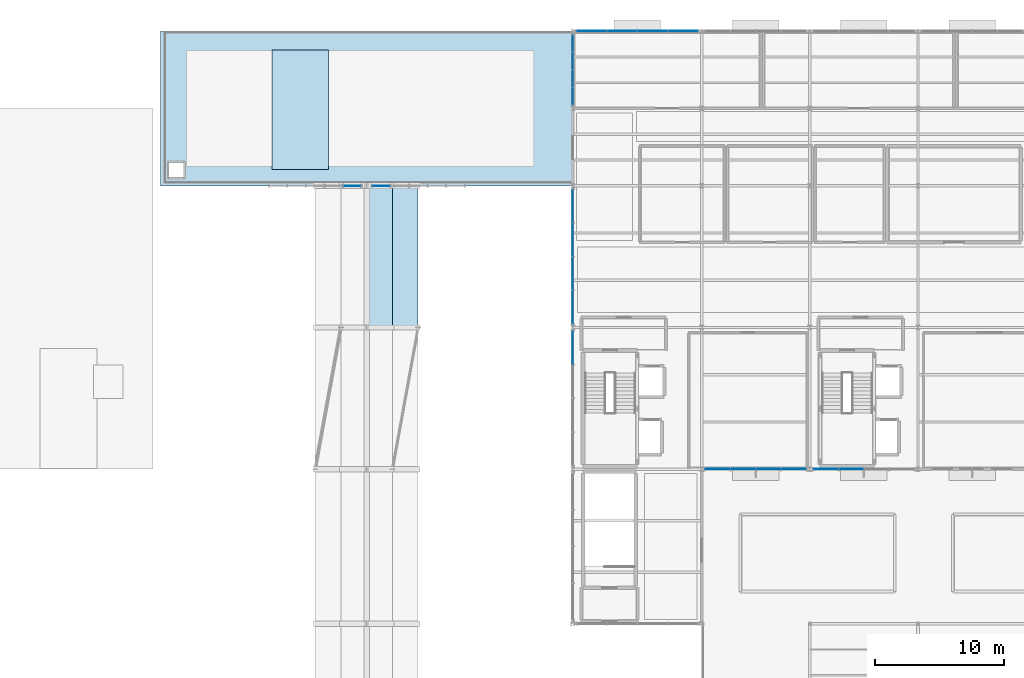
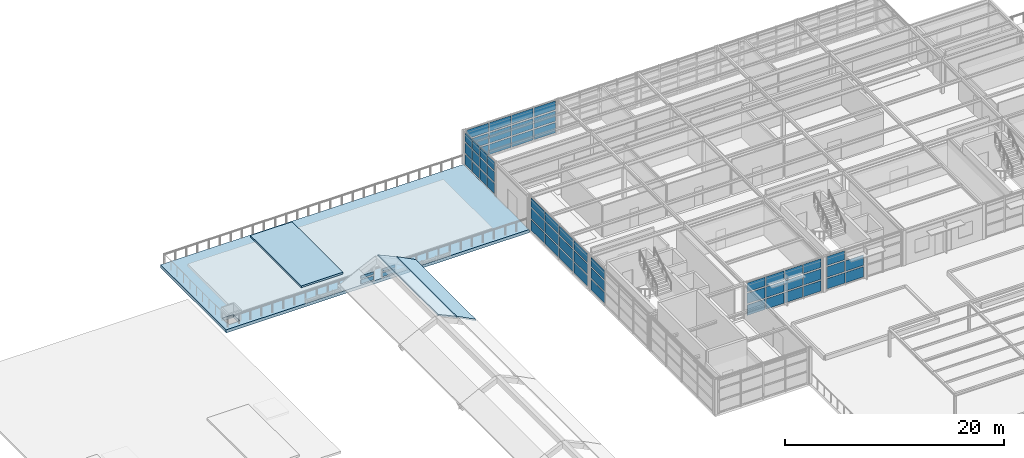
# One storey, part 33 of 49: 60 plates, 4 slabs, 8 elements without a shape of their own.
"""IFC4 building model written with IfcOpenShell, lengths in metres."""

from ifc_helpers import new_model, si_unit, direction, frame, origin, origin_2d, place, context, subcontext, project, spatial, polyline, rectangle, outline, extrude, material, layer, layer_set, type_object, element, aggregate, save


model = new_model("IFC4")

# Units and contexts
model_context = context("Model", 3, precision=1e-05, world=origin(), true_north=direction((0.0, 1.0)))
body_context = subcontext(model_context, "Body", "Model", "MODEL_VIEW")
ifc_project = project(units=[si_unit("LENGTHUNIT", "METRE"), si_unit("AREAUNIT", "SQUARE_METRE"), si_unit("VOLUMEUNIT", "CUBIC_METRE"), si_unit("PLANEANGLEUNIT", "RADIAN"), si_unit("MASSUNIT", "GRAM", prefix="KILO")], contexts=[model_context])

# Site, building, storey
site_placement = place(None, origin())
site = spatial("IfcSite", under=ifc_project, at=site_placement, CompositionType="ELEMENT")
building_placement = place(site_placement, origin())
building = spatial("IfcBuilding", under=site, at=building_placement, Name="Sitalva Quay Ferry Terminal", CompositionType="ELEMENT")
storey_placement = place(building_placement, frame((0.0, 0.0, 10.199951171875)))
storey = spatial("IfcBuildingStorey", under=building, at=storey_placement, Name="L03", CompositionType="ELEMENT", Elevation=10.199951171875)

# Curtain wall, plates
ifc_material_1 = material(Name="Anodised Aluminium & Low-E Glazing", Category="aluminium")
ifc_layer_1 = layer(ifc_material_1, 0.159912109375)
ifc_layer_set_1 = layer_set([ifc_layer_1], Name="Anodised Aluminium & Low-E Glazing")
curtain_wall_type_1 = type_object("IfcCurtainWallType", Name="CW_Gable_Unitised", PredefinedType="USERDEFINED", material=ifc_layer_set_1)
curtain_wall_1_placement = place(storey_placement, origin())
curtain_wall_1 = element("IfcCurtainWall", 1, at=curtain_wall_1_placement, inside=storey, type_object=curtain_wall_type_1, Name="V1 north clerestory pointed gable (CW-L03-010)", ObjectType="CURTAIN_WALL", PredefinedType="USERDEFINED")
ifc_material_2 = material(Name="Acoustic Laminated Marine Glazing", Category="glass")
ifc_layer_2 = layer(ifc_material_2, 0.033935546875)
ifc_layer_set_2 = layer_set([ifc_layer_2], Name="Acoustic Laminated Marine Glazing")
plate_type_1 = type_object("IfcPlateType", Name="Panel_Marine_IGU_34", PredefinedType="CURTAIN_PANEL", material=ifc_layer_set_2)
plate_1_placement = place(storey_placement, frame((56.8798828125, 100.0, 0.1650390625), z_axis=(0.0, 0.0, 1.0), x_axis=(1.0, 0.0, 0.0)))
plate_1 = element("IfcPlate", 2, at=plate_1_placement, type_object=plate_type_1, Name="CW-L03-010-P4-0", PredefinedType="CURTAIN_PANEL", context=body_context, shape_type="SweptSolid", body=[
    extrude(rectangle(XDim=1.35009765625, YDim=0.033935546875, at=origin_2d()), origin(), (0.0, 0.0, 1.0), 0.435791015625),
])
plate_2_placement = place(storey_placement, frame((56.8798828125, 100.0, 0.765869140625), z_axis=(0.0, 0.0, 1.0), x_axis=(1.0, 0.0, 0.0)))
plate_2 = element("IfcPlate", 3, at=plate_2_placement, type_object=plate_type_1, Name="CW-L03-010-P4-1", PredefinedType="CURTAIN_PANEL", context=body_context, shape_type="SweptSolid", body=[
    extrude(rectangle(XDim=1.35009765625, YDim=0.033935546875, at=origin_2d()), origin(), (0.0, 0.0, 1.0), 0.27099609375),
])
aggregate(curtain_wall_1, [plate_1, plate_2])

curtain_wall_2_placement = place(storey_placement, origin())
curtain_wall_2 = element("IfcCurtainWall", 4, at=curtain_wall_2_placement, inside=storey, type_object=curtain_wall_type_1, Name="V1 north clerestory pointed gable (CW-L03-011)", ObjectType="CURTAIN_WALL", PredefinedType="USERDEFINED")
plate_3_placement = place(storey_placement, frame((59.1201171875, 100.0, 0.1650390625), z_axis=(0.0, 0.0, 1.0), x_axis=(1.0, 0.0, 0.0)))
plate_3 = element("IfcPlate", 5, at=plate_3_placement, type_object=plate_type_1, Name="CW-L03-011-P0-0", PredefinedType="CURTAIN_PANEL", context=body_context, shape_type="SweptSolid", body=[
    extrude(rectangle(XDim=1.35009765625, YDim=0.033935546875, at=origin_2d()), origin(), (0.0, 0.0, 1.0), 0.435791015625),
])
plate_4_placement = place(storey_placement, frame((59.1201171875, 100.0, 0.765869140625), z_axis=(0.0, 0.0, 1.0), x_axis=(1.0, 0.0, 0.0)))
plate_4 = element("IfcPlate", 6, at=plate_4_placement, type_object=plate_type_1, Name="CW-L03-011-P0-1", PredefinedType="CURTAIN_PANEL", context=body_context, shape_type="SweptSolid", body=[
    extrude(rectangle(XDim=1.35009765625, YDim=0.033935546875, at=origin_2d()), origin(), (0.0, 0.0, 1.0), 0.27099609375),
])
aggregate(curtain_wall_2, [plate_3, plate_4])

ifc_material_3 = material(Name="Anodised Aluminium & Low-E Glazing", Category="aluminium")
ifc_layer_3 = layer(ifc_material_3, 0.159912109375)
ifc_layer_set_3 = layer_set([ifc_layer_3], Name="Anodised Aluminium & Low-E Glazing")
curtain_wall_type_2 = type_object("IfcCurtainWallType", Name="CW_Office_Unitised", PredefinedType="USERDEFINED", material=ifc_layer_set_3)
curtain_wall_3_placement = place(storey_placement, origin())
curtain_wall_3 = element("IfcCurtainWall", 7, at=curtain_wall_3_placement, inside=storey, type_object=curtain_wall_type_2, Name="L03 maritime bridge west glazing (CW-L03-124)", ObjectType="CURTAIN_WALL", PredefinedType="USERDEFINED")
ifc_material_4 = material(Name="Solar-Control Low-E Glazing", Category="glass")
ifc_layer_4 = layer(ifc_material_4, 0.031982421875)
ifc_layer_set_4 = layer_set([ifc_layer_4], Name="Solar-Control Low-E Glazing")
plate_type_2 = type_object("IfcPlateType", Name="Panel_Solar_IGU_32", PredefinedType="CURTAIN_PANEL", material=ifc_layer_set_4)
plate_5_placement = place(storey_placement, frame((74.0, 87.429931640625, 0.14990234375), z_axis=(0.0, 0.0, 1.0), x_axis=(0.0, 1.0, 0.0)))
plate_5 = element("IfcPlate", 8, at=plate_5_placement, type_object=plate_type_2, Name="CW-L03-124-P3-0", PredefinedType="CURTAIN_PANEL", context=body_context, shape_type="SweptSolid", body=[
    extrude(rectangle(XDim=2.544921875, YDim=0.031982421875, at=origin_2d()), origin(), (0.0, 0.0, 1.0), 1.15673828125),
])
plate_6_placement = place(storey_placement, frame((74.0, 87.429931640625, 1.456787109375), z_axis=(0.0, 0.0, 1.0), x_axis=(0.0, 1.0, 0.0)))
plate_6 = element("IfcPlate", 9, at=plate_6_placement, type_object=plate_type_2, Name="CW-L03-124-P3-1", PredefinedType="CURTAIN_PANEL", context=body_context, shape_type="SweptSolid", body=[
    extrude(rectangle(XDim=2.544921875, YDim=0.031982421875, at=origin_2d()), origin(), (0.0, 0.0, 1.0), 1.15673828125),
])
plate_7_placement = place(storey_placement, frame((74.0, 87.429931640625, 2.76318359375), z_axis=(0.0, 0.0, 1.0), x_axis=(0.0, 1.0, 0.0)))
plate_7 = element("IfcPlate", 10, at=plate_7_placement, type_object=plate_type_2, Name="CW-L03-124-P3-2", PredefinedType="CURTAIN_PANEL", context=body_context, shape_type="SweptSolid", body=[
    extrude(rectangle(XDim=2.544921875, YDim=0.031982421875, at=origin_2d()), origin(), (0.0, 0.0, 1.0), 1.006591796875),
])
aggregate(curtain_wall_3, [plate_5, plate_6, plate_7])

curtain_wall_4_placement = place(storey_placement, origin())
curtain_wall_4 = element("IfcCurtainWall", 11, at=curtain_wall_4_placement, inside=storey, type_object=curtain_wall_type_2, Name="L03 maritime bridge west glazing (CW-L03-125)", ObjectType="CURTAIN_WALL", PredefinedType="USERDEFINED")
plate_8_placement = place(storey_placement, frame((74.0, 90.570068359375, 0.14990234375), z_axis=(0.0, 0.0, 1.0), x_axis=(0.0, 1.0, 0.0)))
plate_8 = element("IfcPlate", 12, at=plate_8_placement, type_object=plate_type_2, Name="CW-L03-125-P0-0", PredefinedType="CURTAIN_PANEL", context=body_context, shape_type="SweptSolid", body=[
    extrude(rectangle(XDim=2.544921875, YDim=0.031982421875, at=origin_2d()), origin(), (0.0, 0.0, 1.0), 1.15673828125),
])
plate_9_placement = place(storey_placement, frame((74.0, 90.570068359375, 1.456787109375), z_axis=(0.0, 0.0, 1.0), x_axis=(0.0, 1.0, 0.0)))
plate_9 = element("IfcPlate", 13, at=plate_9_placement, type_object=plate_type_2, Name="CW-L03-125-P0-1", PredefinedType="CURTAIN_PANEL", context=body_context, shape_type="SweptSolid", body=[
    extrude(rectangle(XDim=2.544921875, YDim=0.031982421875, at=origin_2d()), origin(), (0.0, 0.0, 1.0), 1.15673828125),
])
plate_10_placement = place(storey_placement, frame((74.0, 90.570068359375, 2.76318359375), z_axis=(0.0, 0.0, 1.0), x_axis=(0.0, 1.0, 0.0)))
plate_10 = element("IfcPlate", 14, at=plate_10_placement, type_object=plate_type_2, Name="CW-L03-125-P0-2", PredefinedType="CURTAIN_PANEL", context=body_context, shape_type="SweptSolid", body=[
    extrude(rectangle(XDim=2.544921875, YDim=0.031982421875, at=origin_2d()), origin(), (0.0, 0.0, 1.0), 1.006591796875),
])
plate_11_placement = place(storey_placement, frame((74.0, 93.18994140625, 0.14990234375), z_axis=(0.0, 0.0, 1.0), x_axis=(0.0, 1.0, 0.0)))
plate_11 = element("IfcPlate", 15, at=plate_11_placement, type_object=plate_type_2, Name="CW-L03-125-P1-0", PredefinedType="CURTAIN_PANEL", context=body_context, shape_type="SweptSolid", body=[
    extrude(rectangle(XDim=2.544921875, YDim=0.031982421875, at=origin_2d()), origin(), (0.0, 0.0, 1.0), 1.15673828125),
])
plate_12_placement = place(storey_placement, frame((74.0, 93.18994140625, 1.456787109375), z_axis=(0.0, 0.0, 1.0), x_axis=(0.0, 1.0, 0.0)))
plate_12 = element("IfcPlate", 16, at=plate_12_placement, type_object=plate_type_2, Name="CW-L03-125-P1-1", PredefinedType="CURTAIN_PANEL", context=body_context, shape_type="SweptSolid", body=[
    extrude(rectangle(XDim=2.544921875, YDim=0.031982421875, at=origin_2d()), origin(), (0.0, 0.0, 1.0), 1.15673828125),
])
plate_13_placement = place(storey_placement, frame((74.0, 93.18994140625, 2.76318359375), z_axis=(0.0, 0.0, 1.0), x_axis=(0.0, 1.0, 0.0)))
plate_13 = element("IfcPlate", 17, at=plate_13_placement, type_object=plate_type_2, Name="CW-L03-125-P1-2", PredefinedType="CURTAIN_PANEL", context=body_context, shape_type="SweptSolid", body=[
    extrude(rectangle(XDim=2.544921875, YDim=0.031982421875, at=origin_2d()), origin(), (0.0, 0.0, 1.0), 1.006591796875),
])
plate_14_placement = place(storey_placement, frame((74.0, 95.81005859375, 0.14990234375), z_axis=(0.0, 0.0, 1.0), x_axis=(0.0, 1.0, 0.0)))
plate_14 = element("IfcPlate", 18, at=plate_14_placement, type_object=plate_type_2, Name="CW-L03-125-P2-0", PredefinedType="CURTAIN_PANEL", context=body_context, shape_type="SweptSolid", body=[
    extrude(rectangle(XDim=2.544921875, YDim=0.031982421875, at=origin_2d()), origin(), (0.0, 0.0, 1.0), 1.15673828125),
])
plate_15_placement = place(storey_placement, frame((74.0, 95.81005859375, 1.456787109375), z_axis=(0.0, 0.0, 1.0), x_axis=(0.0, 1.0, 0.0)))
plate_15 = element("IfcPlate", 19, at=plate_15_placement, type_object=plate_type_2, Name="CW-L03-125-P2-1", PredefinedType="CURTAIN_PANEL", context=body_context, shape_type="SweptSolid", body=[
    extrude(rectangle(XDim=2.544921875, YDim=0.031982421875, at=origin_2d()), origin(), (0.0, 0.0, 1.0), 1.15673828125),
])
plate_16_placement = place(storey_placement, frame((74.0, 95.81005859375, 2.76318359375), z_axis=(0.0, 0.0, 1.0), x_axis=(0.0, 1.0, 0.0)))
plate_16 = element("IfcPlate", 20, at=plate_16_placement, type_object=plate_type_2, Name="CW-L03-125-P2-2", PredefinedType="CURTAIN_PANEL", context=body_context, shape_type="SweptSolid", body=[
    extrude(rectangle(XDim=2.544921875, YDim=0.031982421875, at=origin_2d()), origin(), (0.0, 0.0, 1.0), 1.006591796875),
])
plate_17_placement = place(storey_placement, frame((74.0, 98.429931640625, 0.14990234375), z_axis=(0.0, 0.0, 1.0), x_axis=(0.0, 1.0, 0.0)))
plate_17 = element("IfcPlate", 21, at=plate_17_placement, type_object=plate_type_2, Name="CW-L03-125-P3-0", PredefinedType="CURTAIN_PANEL", context=body_context, shape_type="SweptSolid", body=[
    extrude(rectangle(XDim=2.544921875, YDim=0.031982421875, at=origin_2d()), origin(), (0.0, 0.0, 1.0), 1.15673828125),
])
plate_18_placement = place(storey_placement, frame((74.0, 98.429931640625, 1.456787109375), z_axis=(0.0, 0.0, 1.0), x_axis=(0.0, 1.0, 0.0)))
plate_18 = element("IfcPlate", 22, at=plate_18_placement, type_object=plate_type_2, Name="CW-L03-125-P3-1", PredefinedType="CURTAIN_PANEL", context=body_context, shape_type="SweptSolid", body=[
    extrude(rectangle(XDim=2.544921875, YDim=0.031982421875, at=origin_2d()), origin(), (0.0, 0.0, 1.0), 1.15673828125),
])
plate_19_placement = place(storey_placement, frame((74.0, 98.429931640625, 2.76318359375), z_axis=(0.0, 0.0, 1.0), x_axis=(0.0, 1.0, 0.0)))
plate_19 = element("IfcPlate", 23, at=plate_19_placement, type_object=plate_type_2, Name="CW-L03-125-P3-2", PredefinedType="CURTAIN_PANEL", context=body_context, shape_type="SweptSolid", body=[
    extrude(rectangle(XDim=2.544921875, YDim=0.031982421875, at=origin_2d()), origin(), (0.0, 0.0, 1.0), 1.006591796875),
])
aggregate(curtain_wall_4, [plate_8, plate_9, plate_10, plate_11, plate_12, plate_13, plate_14, plate_15, plate_16, plate_17, plate_18, plate_19])

curtain_wall_5_placement = place(storey_placement, origin())
curtain_wall_5 = element("IfcCurtainWall", 24, at=curtain_wall_5_placement, inside=storey, type_object=curtain_wall_type_2, Name="L03 maritime bridge west glazing (CW-L03-126)", ObjectType="CURTAIN_WALL", PredefinedType="USERDEFINED")
plate_20_placement = place(storey_placement, frame((74.0, 106.945068359375, 0.150146484375), z_axis=(0.0, 0.0, 1.0), x_axis=(0.0, 1.0, 0.0)))
plate_20 = element("IfcPlate", 25, at=plate_20_placement, type_object=plate_type_2, Name="CW-L03-126-P0-0", PredefinedType="CURTAIN_PANEL", context=body_context, shape_type="SweptSolid", body=[
    extrude(rectangle(XDim=1.294921875, YDim=0.031982421875, at=origin_2d()), origin(), (0.0, 0.0, 1.0), 1.13330078125),
])
plate_21_placement = place(storey_placement, frame((74.0, 106.945068359375, 1.433349609375), z_axis=(0.0, 0.0, 1.0), x_axis=(0.0, 1.0, 0.0)))
plate_21 = element("IfcPlate", 26, at=plate_21_placement, type_object=plate_type_2, Name="CW-L03-126-P0-1", PredefinedType="CURTAIN_PANEL", context=body_context, shape_type="SweptSolid", body=[
    extrude(rectangle(XDim=1.294921875, YDim=0.031982421875, at=origin_2d()), origin(), (0.0, 0.0, 1.0), 1.13330078125),
])
plate_22_placement = place(storey_placement, frame((74.0, 106.945068359375, 2.716796875), z_axis=(0.0, 0.0, 1.0), x_axis=(0.0, 1.0, 0.0)))
plate_22 = element("IfcPlate", 27, at=plate_22_placement, type_object=plate_type_2, Name="CW-L03-126-P0-2", PredefinedType="CURTAIN_PANEL", context=body_context, shape_type="SweptSolid", body=[
    extrude(rectangle(XDim=1.294921875, YDim=0.031982421875, at=origin_2d()), origin(), (0.0, 0.0, 1.0), 0.9833984375),
])
plate_23_placement = place(storey_placement, frame((74.0, 108.31494140625, 0.150146484375), z_axis=(0.0, 0.0, 1.0), x_axis=(0.0, 1.0, 0.0)))
plate_23 = element("IfcPlate", 28, at=plate_23_placement, type_object=plate_type_2, Name="CW-L03-126-P1-0", PredefinedType="CURTAIN_PANEL", context=body_context, shape_type="SweptSolid", body=[
    extrude(rectangle(XDim=1.294921875, YDim=0.031982421875, at=origin_2d()), origin(), (0.0, 0.0, 1.0), 1.13330078125),
])
plate_24_placement = place(storey_placement, frame((74.0, 108.31494140625, 1.433349609375), z_axis=(0.0, 0.0, 1.0), x_axis=(0.0, 1.0, 0.0)))
plate_24 = element("IfcPlate", 29, at=plate_24_placement, type_object=plate_type_2, Name="CW-L03-126-P1-1", PredefinedType="CURTAIN_PANEL", context=body_context, shape_type="SweptSolid", body=[
    extrude(rectangle(XDim=1.294921875, YDim=0.031982421875, at=origin_2d()), origin(), (0.0, 0.0, 1.0), 1.13330078125),
])
plate_25_placement = place(storey_placement, frame((74.0, 108.31494140625, 2.716796875), z_axis=(0.0, 0.0, 1.0), x_axis=(0.0, 1.0, 0.0)))
plate_25 = element("IfcPlate", 30, at=plate_25_placement, type_object=plate_type_2, Name="CW-L03-126-P1-2", PredefinedType="CURTAIN_PANEL", context=body_context, shape_type="SweptSolid", body=[
    extrude(rectangle(XDim=1.294921875, YDim=0.031982421875, at=origin_2d()), origin(), (0.0, 0.0, 1.0), 0.9833984375),
])
plate_26_placement = place(storey_placement, frame((74.0, 109.68505859375, 0.150146484375), z_axis=(0.0, 0.0, 1.0), x_axis=(0.0, 1.0, 0.0)))
plate_26 = element("IfcPlate", 31, at=plate_26_placement, type_object=plate_type_2, Name="CW-L03-126-P2-0", PredefinedType="CURTAIN_PANEL", context=body_context, shape_type="SweptSolid", body=[
    extrude(rectangle(XDim=1.294921875, YDim=0.031982421875, at=origin_2d()), origin(), (0.0, 0.0, 1.0), 1.13330078125),
])
plate_27_placement = place(storey_placement, frame((74.0, 109.68505859375, 1.433349609375), z_axis=(0.0, 0.0, 1.0), x_axis=(0.0, 1.0, 0.0)))
plate_27 = element("IfcPlate", 32, at=plate_27_placement, type_object=plate_type_2, Name="CW-L03-126-P2-1", PredefinedType="CURTAIN_PANEL", context=body_context, shape_type="SweptSolid", body=[
    extrude(rectangle(XDim=1.294921875, YDim=0.031982421875, at=origin_2d()), origin(), (0.0, 0.0, 1.0), 1.13330078125),
])
plate_28_placement = place(storey_placement, frame((74.0, 109.68505859375, 2.716796875), z_axis=(0.0, 0.0, 1.0), x_axis=(0.0, 1.0, 0.0)))
plate_28 = element("IfcPlate", 33, at=plate_28_placement, type_object=plate_type_2, Name="CW-L03-126-P2-2", PredefinedType="CURTAIN_PANEL", context=body_context, shape_type="SweptSolid", body=[
    extrude(rectangle(XDim=1.294921875, YDim=0.031982421875, at=origin_2d()), origin(), (0.0, 0.0, 1.0), 0.9833984375),
])
plate_29_placement = place(storey_placement, frame((74.0, 111.054931640625, 0.150146484375), z_axis=(0.0, 0.0, 1.0), x_axis=(0.0, 1.0, 0.0)))
plate_29 = element("IfcPlate", 34, at=plate_29_placement, type_object=plate_type_2, Name="CW-L03-126-P3-0", PredefinedType="CURTAIN_PANEL", context=body_context, shape_type="SweptSolid", body=[
    extrude(rectangle(XDim=1.294921875, YDim=0.031982421875, at=origin_2d()), origin(), (0.0, 0.0, 1.0), 1.13330078125),
])
plate_30_placement = place(storey_placement, frame((74.0, 111.054931640625, 1.433349609375), z_axis=(0.0, 0.0, 1.0), x_axis=(0.0, 1.0, 0.0)))
plate_30 = element("IfcPlate", 35, at=plate_30_placement, type_object=plate_type_2, Name="CW-L03-126-P3-1", PredefinedType="CURTAIN_PANEL", context=body_context, shape_type="SweptSolid", body=[
    extrude(rectangle(XDim=1.294921875, YDim=0.031982421875, at=origin_2d()), origin(), (0.0, 0.0, 1.0), 1.13330078125),
])
plate_31_placement = place(storey_placement, frame((74.0, 111.054931640625, 2.716796875), z_axis=(0.0, 0.0, 1.0), x_axis=(0.0, 1.0, 0.0)))
plate_31 = element("IfcPlate", 36, at=plate_31_placement, type_object=plate_type_2, Name="CW-L03-126-P3-2", PredefinedType="CURTAIN_PANEL", context=body_context, shape_type="SweptSolid", body=[
    extrude(rectangle(XDim=1.294921875, YDim=0.031982421875, at=origin_2d()), origin(), (0.0, 0.0, 1.0), 0.9833984375),
])
aggregate(curtain_wall_5, [plate_20, plate_21, plate_22, plate_23, plate_24, plate_25, plate_26, plate_27, plate_28, plate_29, plate_30, plate_31])

curtain_wall_6_placement = place(storey_placement, origin())
curtain_wall_6 = element("IfcCurtainWall", 37, at=curtain_wall_6_placement, inside=storey, type_object=curtain_wall_type_2, Name="L03 maritime bridge south glazing (CW-L03-127)", ObjectType="CURTAIN_WALL", PredefinedType="USERDEFINED")
plate_32_placement = place(storey_placement, frame((85.2451171875, 78.0, 1.456787109375), z_axis=(0.0, 0.0, 1.0), x_axis=(1.0, 0.0, 0.0)))
plate_32 = element("IfcPlate", 38, at=plate_32_placement, type_object=plate_type_2, Name="CW-L03-127-P0-1", PredefinedType="CURTAIN_PANEL", context=body_context, shape_type="SweptSolid", body=[
    extrude(rectangle(XDim=1.89501953125, YDim=0.031982421875, at=origin_2d()), origin(), (0.0, 0.0, 1.0), 1.15673828125),
])
plate_33_placement = place(storey_placement, frame((85.2451171875, 78.0, 2.76318359375), z_axis=(0.0, 0.0, 1.0), x_axis=(1.0, 0.0, 0.0)))
plate_33 = element("IfcPlate", 39, at=plate_33_placement, type_object=plate_type_2, Name="CW-L03-127-P0-2", PredefinedType="CURTAIN_PANEL", context=body_context, shape_type="SweptSolid", body=[
    extrude(rectangle(XDim=1.89501953125, YDim=0.031982421875, at=origin_2d()), origin(), (0.0, 0.0, 1.0), 1.006591796875),
])
plate_34_placement = place(storey_placement, frame((87.215087890625, 78.0, 1.456787109375), z_axis=(0.0, 0.0, 1.0), x_axis=(1.0, 0.0, 0.0)))
plate_34 = element("IfcPlate", 40, at=plate_34_placement, type_object=plate_type_2, Name="CW-L03-127-P1-1", PredefinedType="CURTAIN_PANEL", context=body_context, shape_type="SweptSolid", body=[
    extrude(rectangle(XDim=1.89501953125, YDim=0.031982421875, at=origin_2d()), origin(), (0.0, 0.0, 1.0), 1.15673828125),
])
plate_35_placement = place(storey_placement, frame((87.215087890625, 78.0, 2.76318359375), z_axis=(0.0, 0.0, 1.0), x_axis=(1.0, 0.0, 0.0)))
plate_35 = element("IfcPlate", 41, at=plate_35_placement, type_object=plate_type_2, Name="CW-L03-127-P1-2", PredefinedType="CURTAIN_PANEL", context=body_context, shape_type="SweptSolid", body=[
    extrude(rectangle(XDim=1.89501953125, YDim=0.031982421875, at=origin_2d()), origin(), (0.0, 0.0, 1.0), 1.006591796875),
])
plate_36_placement = place(storey_placement, frame((89.18505859375, 78.0, 1.456787109375), z_axis=(0.0, 0.0, 1.0), x_axis=(1.0, 0.0, 0.0)))
plate_36 = element("IfcPlate", 42, at=plate_36_placement, type_object=plate_type_2, Name="CW-L03-127-P2-1", PredefinedType="CURTAIN_PANEL", context=body_context, shape_type="SweptSolid", body=[
    extrude(rectangle(XDim=1.89501953125, YDim=0.031982421875, at=origin_2d()), origin(), (0.0, 0.0, 1.0), 1.15673828125),
])
plate_37_placement = place(storey_placement, frame((89.18505859375, 78.0, 2.76318359375), z_axis=(0.0, 0.0, 1.0), x_axis=(1.0, 0.0, 0.0)))
plate_37 = element("IfcPlate", 43, at=plate_37_placement, type_object=plate_type_2, Name="CW-L03-127-P2-2", PredefinedType="CURTAIN_PANEL", context=body_context, shape_type="SweptSolid", body=[
    extrude(rectangle(XDim=1.89501953125, YDim=0.031982421875, at=origin_2d()), origin(), (0.0, 0.0, 1.0), 1.006591796875),
])
plate_38_placement = place(storey_placement, frame((91.155029296875, 78.0, 1.456787109375), z_axis=(0.0, 0.0, 1.0), x_axis=(1.0, 0.0, 0.0)))
plate_38 = element("IfcPlate", 44, at=plate_38_placement, type_object=plate_type_2, Name="CW-L03-127-P3-1", PredefinedType="CURTAIN_PANEL", context=body_context, shape_type="SweptSolid", body=[
    extrude(rectangle(XDim=1.89501953125, YDim=0.031982421875, at=origin_2d()), origin(), (0.0, 0.0, 1.0), 1.15673828125),
])
plate_39_placement = place(storey_placement, frame((91.155029296875, 78.0, 2.76318359375), z_axis=(0.0, 0.0, 1.0), x_axis=(1.0, 0.0, 0.0)))
plate_39 = element("IfcPlate", 45, at=plate_39_placement, type_object=plate_type_2, Name="CW-L03-127-P3-2", PredefinedType="CURTAIN_PANEL", context=body_context, shape_type="SweptSolid", body=[
    extrude(rectangle(XDim=1.89501953125, YDim=0.031982421875, at=origin_2d()), origin(), (0.0, 0.0, 1.0), 1.006591796875),
])

curtain_wall_7_placement = place(storey_placement, origin())
curtain_wall_7 = element("IfcCurtainWall", 46, at=curtain_wall_7_placement, inside=storey, type_object=curtain_wall_type_2, Name="L03 maritime bridge south glazing (CW-L03-128)", ObjectType="CURTAIN_WALL", PredefinedType="USERDEFINED")
plate_40_placement = place(storey_placement, frame((93.64501953125, 78.0, 1.456787109375), z_axis=(0.0, 0.0, 1.0), x_axis=(1.0, 0.0, 0.0)))
plate_40 = element("IfcPlate", 47, at=plate_40_placement, type_object=plate_type_2, Name="CW-L03-128-P0-1", PredefinedType="CURTAIN_PANEL", context=body_context, shape_type="SweptSolid", body=[
    extrude(rectangle(XDim=1.89501953125, YDim=0.031982421875, at=origin_2d()), origin(), (0.0, 0.0, 1.0), 1.15673828125),
])
plate_41_placement = place(storey_placement, frame((93.64501953125, 78.0, 2.76318359375), z_axis=(0.0, 0.0, 1.0), x_axis=(1.0, 0.0, 0.0)))
plate_41 = element("IfcPlate", 48, at=plate_41_placement, type_object=plate_type_2, Name="CW-L03-128-P0-2", PredefinedType="CURTAIN_PANEL", context=body_context, shape_type="SweptSolid", body=[
    extrude(rectangle(XDim=1.89501953125, YDim=0.031982421875, at=origin_2d()), origin(), (0.0, 0.0, 1.0), 1.006591796875),
])
plate_42_placement = place(storey_placement, frame((95.614990234375, 78.0, 1.456787109375), z_axis=(0.0, 0.0, 1.0), x_axis=(1.0, 0.0, 0.0)))
plate_42 = element("IfcPlate", 49, at=plate_42_placement, type_object=plate_type_2, Name="CW-L03-128-P1-1", PredefinedType="CURTAIN_PANEL", context=body_context, shape_type="SweptSolid", body=[
    extrude(rectangle(XDim=1.89501953125, YDim=0.031982421875, at=origin_2d()), origin(), (0.0, 0.0, 1.0), 1.15673828125),
])

curtain_wall_8_placement = place(storey_placement, origin())
curtain_wall_8 = element("IfcCurtainWall", 50, at=curtain_wall_8_placement, inside=storey, type_object=curtain_wall_type_2, Name="L03 maritime admin north glazing (CW-L03-132)", ObjectType="CURTAIN_WALL", PredefinedType="USERDEFINED")
plate_43_placement = place(storey_placement, frame((75.445068359375, 112.0, 1.433349609375), z_axis=(0.0, 0.0, 1.0), x_axis=(1.0, 0.0, 0.0)))
plate_43 = element("IfcPlate", 51, at=plate_43_placement, type_object=plate_type_2, Name="CW-L03-132-P0-1", PredefinedType="CURTAIN_PANEL", context=body_context, shape_type="SweptSolid", body=[
    extrude(rectangle(XDim=2.294921875, YDim=0.031982421875, at=origin_2d()), origin(), (0.0, 0.0, 1.0), 1.13330078125),
])
plate_44_placement = place(storey_placement, frame((75.445068359375, 112.0, 2.716796875), z_axis=(0.0, 0.0, 1.0), x_axis=(1.0, 0.0, 0.0)))
plate_44 = element("IfcPlate", 52, at=plate_44_placement, type_object=plate_type_2, Name="CW-L03-132-P0-2", PredefinedType="CURTAIN_PANEL", context=body_context, shape_type="SweptSolid", body=[
    extrude(rectangle(XDim=2.294921875, YDim=0.031982421875, at=origin_2d()), origin(), (0.0, 0.0, 1.0), 0.9833984375),
])
plate_45_placement = place(storey_placement, frame((77.81494140625, 112.0, 1.433349609375), z_axis=(0.0, 0.0, 1.0), x_axis=(1.0, 0.0, 0.0)))
plate_45 = element("IfcPlate", 53, at=plate_45_placement, type_object=plate_type_2, Name="CW-L03-132-P1-1", PredefinedType="CURTAIN_PANEL", context=body_context, shape_type="SweptSolid", body=[
    extrude(rectangle(XDim=2.294921875, YDim=0.031982421875, at=origin_2d()), origin(), (0.0, 0.0, 1.0), 1.13330078125),
])
plate_46_placement = place(storey_placement, frame((77.81494140625, 112.0, 2.716796875), z_axis=(0.0, 0.0, 1.0), x_axis=(1.0, 0.0, 0.0)))
plate_46 = element("IfcPlate", 54, at=plate_46_placement, type_object=plate_type_2, Name="CW-L03-132-P1-2", PredefinedType="CURTAIN_PANEL", context=body_context, shape_type="SweptSolid", body=[
    extrude(rectangle(XDim=2.294921875, YDim=0.031982421875, at=origin_2d()), origin(), (0.0, 0.0, 1.0), 0.9833984375),
])
plate_47_placement = place(storey_placement, frame((80.18505859375, 112.0, 1.433349609375), z_axis=(0.0, 0.0, 1.0), x_axis=(1.0, 0.0, 0.0)))
plate_47 = element("IfcPlate", 55, at=plate_47_placement, type_object=plate_type_2, Name="CW-L03-132-P2-1", PredefinedType="CURTAIN_PANEL", context=body_context, shape_type="SweptSolid", body=[
    extrude(rectangle(XDim=2.294921875, YDim=0.031982421875, at=origin_2d()), origin(), (0.0, 0.0, 1.0), 1.13330078125),
])
plate_48_placement = place(storey_placement, frame((80.18505859375, 112.0, 2.716796875), z_axis=(0.0, 0.0, 1.0), x_axis=(1.0, 0.0, 0.0)))
plate_48 = element("IfcPlate", 56, at=plate_48_placement, type_object=plate_type_2, Name="CW-L03-132-P2-2", PredefinedType="CURTAIN_PANEL", context=body_context, shape_type="SweptSolid", body=[
    extrude(rectangle(XDim=2.294921875, YDim=0.031982421875, at=origin_2d()), origin(), (0.0, 0.0, 1.0), 0.9833984375),
])
plate_49_placement = place(storey_placement, frame((82.554931640625, 112.0, 1.433349609375), z_axis=(0.0, 0.0, 1.0), x_axis=(1.0, 0.0, 0.0)))
plate_49 = element("IfcPlate", 57, at=plate_49_placement, type_object=plate_type_2, Name="CW-L03-132-P3-1", PredefinedType="CURTAIN_PANEL", context=body_context, shape_type="SweptSolid", body=[
    extrude(rectangle(XDim=2.294921875, YDim=0.031982421875, at=origin_2d()), origin(), (0.0, 0.0, 1.0), 1.13330078125),
])
plate_50_placement = place(storey_placement, frame((82.554931640625, 112.0, 2.716796875), z_axis=(0.0, 0.0, 1.0), x_axis=(1.0, 0.0, 0.0)))
plate_50 = element("IfcPlate", 58, at=plate_50_placement, type_object=plate_type_2, Name="CW-L03-132-P3-2", PredefinedType="CURTAIN_PANEL", context=body_context, shape_type="SweptSolid", body=[
    extrude(rectangle(XDim=2.294921875, YDim=0.031982421875, at=origin_2d()), origin(), (0.0, 0.0, 1.0), 0.9833984375),
])

# Plate
ifc_material_5 = material(Name="Insulated Spandrel Cassette", Category="aluminium")
ifc_layer_5 = layer(ifc_material_5, 0.0400390625)
ifc_layer_set_5 = layer_set([ifc_layer_5], Name="Insulated Spandrel Cassette")
plate_type_3 = type_object("IfcPlateType", Name="Panel_Spandrel_Alu_40", PredefinedType="CURTAIN_PANEL", material=ifc_layer_set_5)
plate_51_placement = place(storey_placement, frame((85.2451171875, 78.0, 0.14990234375), z_axis=(0.0, 0.0, 1.0), x_axis=(1.0, 0.0, 0.0)))
plate_51 = element("IfcPlate", 59, at=plate_51_placement, type_object=plate_type_3, Name="CW-L03-127-P0-0", PredefinedType="CURTAIN_PANEL", context=body_context, shape_type="SweptSolid", body=[
    extrude(rectangle(XDim=1.89501953125, YDim=0.0400390625, at=origin_2d()), origin(), (0.0, 0.0, 1.0), 1.15673828125),
])

plate_52_placement = place(storey_placement, frame((87.215087890625, 78.0, 0.14990234375), z_axis=(0.0, 0.0, 1.0), x_axis=(1.0, 0.0, 0.0)))
plate_52 = element("IfcPlate", 60, at=plate_52_placement, type_object=plate_type_3, Name="CW-L03-127-P1-0", PredefinedType="CURTAIN_PANEL", context=body_context, shape_type="SweptSolid", body=[
    extrude(rectangle(XDim=1.89501953125, YDim=0.0400390625, at=origin_2d()), origin(), (0.0, 0.0, 1.0), 1.15673828125),
])

plate_53_placement = place(storey_placement, frame((89.18505859375, 78.0, 0.14990234375), z_axis=(0.0, 0.0, 1.0), x_axis=(1.0, 0.0, 0.0)))
plate_53 = element("IfcPlate", 61, at=plate_53_placement, type_object=plate_type_3, Name="CW-L03-127-P2-0", PredefinedType="CURTAIN_PANEL", context=body_context, shape_type="SweptSolid", body=[
    extrude(rectangle(XDim=1.89501953125, YDim=0.0400390625, at=origin_2d()), origin(), (0.0, 0.0, 1.0), 1.15673828125),
])

plate_54_placement = place(storey_placement, frame((91.155029296875, 78.0, 0.14990234375), z_axis=(0.0, 0.0, 1.0), x_axis=(1.0, 0.0, 0.0)))
plate_54 = element("IfcPlate", 62, at=plate_54_placement, type_object=plate_type_3, Name="CW-L03-127-P3-0", PredefinedType="CURTAIN_PANEL", context=body_context, shape_type="SweptSolid", body=[
    extrude(rectangle(XDim=1.89501953125, YDim=0.0400390625, at=origin_2d()), origin(), (0.0, 0.0, 1.0), 1.15673828125),
])

aggregate(curtain_wall_6, [plate_51, plate_32, plate_33, plate_52, plate_34, plate_35, plate_53, plate_36, plate_37, plate_54, plate_38, plate_39])

plate_55_placement = place(storey_placement, frame((93.64501953125, 78.0, 0.14990234375), z_axis=(0.0, 0.0, 1.0), x_axis=(1.0, 0.0, 0.0)))
plate_55 = element("IfcPlate", 63, at=plate_55_placement, type_object=plate_type_3, Name="CW-L03-128-P0-0", PredefinedType="CURTAIN_PANEL", context=body_context, shape_type="SweptSolid", body=[
    extrude(rectangle(XDim=1.89501953125, YDim=0.0400390625, at=origin_2d()), origin(), (0.0, 0.0, 1.0), 1.15673828125),
])

plate_56_placement = place(storey_placement, frame((95.614990234375, 78.0, 0.14990234375), z_axis=(0.0, 0.0, 1.0), x_axis=(1.0, 0.0, 0.0)))
plate_56 = element("IfcPlate", 64, at=plate_56_placement, type_object=plate_type_3, Name="CW-L03-128-P1-0", PredefinedType="CURTAIN_PANEL", context=body_context, shape_type="SweptSolid", body=[
    extrude(rectangle(XDim=1.89501953125, YDim=0.0400390625, at=origin_2d()), origin(), (0.0, 0.0, 1.0), 1.15673828125),
])

aggregate(curtain_wall_7, [plate_55, plate_40, plate_41, plate_56, plate_42])

plate_57_placement = place(storey_placement, frame((75.445068359375, 112.0, 0.150146484375), z_axis=(0.0, 0.0, 1.0), x_axis=(1.0, 0.0, 0.0)))
plate_57 = element("IfcPlate", 65, at=plate_57_placement, type_object=plate_type_3, Name="CW-L03-132-P0-0", PredefinedType="CURTAIN_PANEL", context=body_context, shape_type="SweptSolid", body=[
    extrude(rectangle(XDim=2.294921875, YDim=0.0400390625, at=origin_2d()), origin(), (0.0, 0.0, 1.0), 1.13330078125),
])

plate_58_placement = place(storey_placement, frame((77.81494140625, 112.0, 0.150146484375), z_axis=(0.0, 0.0, 1.0), x_axis=(1.0, 0.0, 0.0)))
plate_58 = element("IfcPlate", 66, at=plate_58_placement, type_object=plate_type_3, Name="CW-L03-132-P1-0", PredefinedType="CURTAIN_PANEL", context=body_context, shape_type="SweptSolid", body=[
    extrude(rectangle(XDim=2.294921875, YDim=0.0400390625, at=origin_2d()), origin(), (0.0, 0.0, 1.0), 1.13330078125),
])

plate_59_placement = place(storey_placement, frame((80.18505859375, 112.0, 0.150146484375), z_axis=(0.0, 0.0, 1.0), x_axis=(1.0, 0.0, 0.0)))
plate_59 = element("IfcPlate", 67, at=plate_59_placement, type_object=plate_type_3, Name="CW-L03-132-P2-0", PredefinedType="CURTAIN_PANEL", context=body_context, shape_type="SweptSolid", body=[
    extrude(rectangle(XDim=2.294921875, YDim=0.0400390625, at=origin_2d()), origin(), (0.0, 0.0, 1.0), 1.13330078125),
])

plate_60_placement = place(storey_placement, frame((82.554931640625, 112.0, 0.150146484375), z_axis=(0.0, 0.0, 1.0), x_axis=(1.0, 0.0, 0.0)))
plate_60 = element("IfcPlate", 68, at=plate_60_placement, type_object=plate_type_3, Name="CW-L03-132-P3-0", PredefinedType="CURTAIN_PANEL", context=body_context, shape_type="SweptSolid", body=[
    extrude(rectangle(XDim=2.294921875, YDim=0.0400390625, at=origin_2d()), origin(), (0.0, 0.0, 1.0), 1.13330078125),
])

aggregate(curtain_wall_8, [plate_57, plate_43, plate_44, plate_58, plate_45, plate_46, plate_59, plate_47, plate_48, plate_60, plate_49, plate_50])

# Slabs
ifc_material_6 = material(Name="Concrete C35/45", Category="concrete")
ifc_layer_6 = layer(ifc_material_6, 0.2099609375)
ifc_layer_set_6 = layer_set([ifc_layer_6], Name="Concrete C35/45")
slab_type_1 = type_object("IfcSlabType", Name="Slab_HeadhouseRoof_210", PredefinedType="ROOF", material=ifc_layer_set_6)
slab_1_placement = place(storey_placement, frame((0.0, 0.0, 0.900146484375)))
element("IfcSlab", 69, at=slab_1_placement, inside=storey, type_object=slab_type_1, Name="Core C7 stair headhouse roof slab", PredefinedType="ROOF", context=body_context, shape_type="SweptSolid", body=[
    extrude(outline(polyline([(50.64990234375, 101.25), (55.050048828125, 101.25), (55.050048828125, 110.550048828125), (50.64990234375, 110.550048828125), (50.64990234375, 101.25)])), origin(), (0.0, 0.0, 1.0), 0.2099609375),
])
ifc_material_7 = material(Name="Concrete C40/50", Category="concrete")
ifc_layer_7 = layer(ifc_material_7, 0.159912109375)
ifc_layer_set_7 = layer_set([ifc_layer_7], Name="Concrete C40/50")
slab_type_2 = type_object("IfcSlabType", Name="Slab_PointedVaultShell_160", PredefinedType="ROOF", material=ifc_layer_set_7)
slab_2_placement = place(storey_placement, frame((58.0, 89.0, 2.800048828125), z_axis=(0.418608195746, 0.0, 0.908166933143), x_axis=(0.908166933143, 0.0, -0.418608195746)))
element("IfcSlab", 70, at=slab_2_placement, inside=storey, type_object=slab_type_2, Name="Vault V1 pointed shell facet B8-F9", PredefinedType="ROOF", context=body_context, shape_type="SweptSolid", body=[
    extrude(outline(polyline([(0.0, 0.0), (2.2022382967392518, 0.0), (2.2022382967392518, 11.0), (0.0, 11.0), (0.0, 0.0)])), origin(), (0.418608195746, 0.0, -0.908166933143), 0.17626953125),
])
slab_3_placement = place(storey_placement, frame((60.0, 89.0, 1.878173828125), z_axis=(0.457173834752, 0.0, 0.889377357941), x_axis=(0.889377357941, 0.0, -0.457173834752)))
element("IfcSlab", 71, at=slab_3_placement, inside=storey, type_object=slab_type_2, Name="Vault V1 pointed shell facet B8-F10", PredefinedType="ROOF", context=body_context, shape_type="SweptSolid", body=[
    extrude(outline(polyline([(0.0, 0.0), (2.248764241795292, 0.0), (2.248764241795292, 11.0), (0.0, 11.0), (0.0, 0.0)])), origin(), (0.457173834752, 0.0, -0.889377357941), 0.179931640625),
])
ifc_material_8 = material(Name="Concrete C35/45", Category="concrete")
ifc_layer_8 = layer(ifc_material_8, 0.35009765625)
ifc_layer_set_8 = layer_set([ifc_layer_8], Name="Concrete C35/45")
slab_type_3 = type_object("IfcSlabType", Name="Slab_RoofGarden_350", PredefinedType="ROOF", material=ifc_layer_set_8)
slab_4_placement = place(storey_placement, frame((0.0, 0.0, -0.349853515625)))
element("IfcSlab", 72, at=slab_4_placement, inside=storey, type_object=slab_type_3, Name="L03 Forecourt L03 planted roof terrace 056", PredefinedType="ROOF", context=body_context, shape_type="SweptSolid", body=[
    extrude(outline(polyline([(42.0, 100.0), (74.0, 100.0), (74.0, 112.0), (42.0, 112.0), (42.0, 100.0)]), holes=[polyline([(42.64990234375, 100.64990234375), (42.64990234375, 101.800048828125), (43.800048828125, 101.800048828125), (43.800048828125, 100.64990234375), (42.64990234375, 100.64990234375)])]), origin(), (0.0, 0.0, 1.0), 0.349853515625),
])

save(model, "model.ifc")
